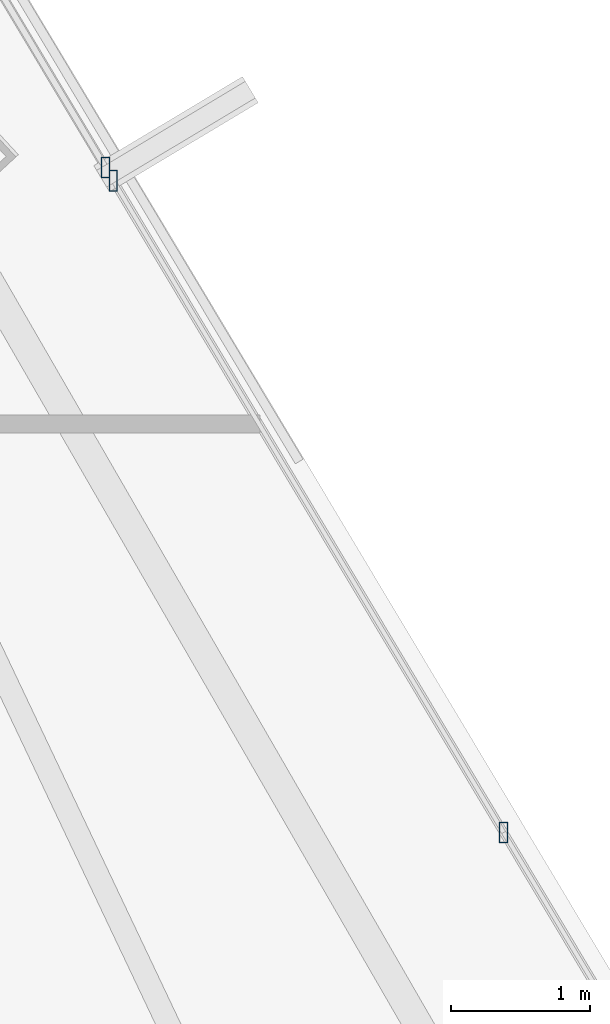
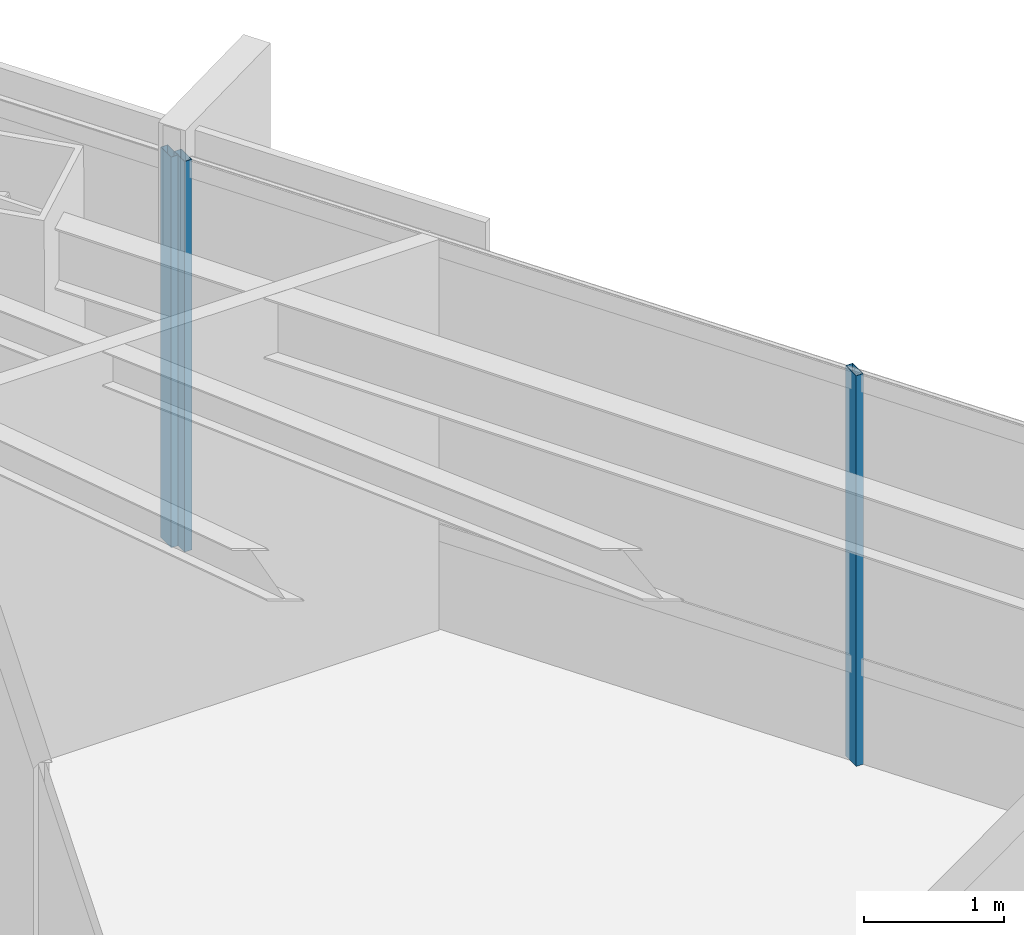
# One storey, part 23 of 41: 3 members, 2 elements without a shape of their own.
"""IFC4 building model written with IfcOpenShell, lengths in metres."""

import ifcopenshell
import ifcopenshell.guid

model = None  # the IFC model being written
_history = None  # IfcOwnerHistory: only IFC2X3 demands one
_inside = {}  # id of a spatial element -> (the spatial element, [elements in it])
_under = {}  # id of a project, library or spatial element -> (it, [spatial elements below it])
_declared = {}  # id of a project -> (the project, [libraries it declares])
_typed = {}  # id of a type object -> (the type object, [elements of that type])
_made_of = {}  # id of a material, layer set ... -> (it, [elements and type objects made of it])


def new_model(schema):
    """Start an empty IFC model of exactly this schema.

    Asked for "IFC4X3", IfcOpenShell would pick the latest addendum, in which some entities
    have other attributes; the version numbers below select the first issue.
    IFC2X3 requires an IfcOwnerHistory on every rooted entity: one is made here for all.
    """
    global model, _history
    if schema == "IFC4X3":
        model = ifcopenshell.file(schema_version=(4, 3, 0, 0))
    else:
        model = ifcopenshell.file(schema=schema)
    _inside.clear()
    _under.clear()
    _declared.clear()
    _typed.clear()
    _made_of.clear()
    _history = None
    if model.schema == "IFC2X3":
        org = make("IfcOrganization", Name="unknown")
        user = make(
            "IfcPersonAndOrganization",
            ThePerson=make("IfcPerson", FamilyName="unknown"),
            TheOrganization=org,
        )
        app = make(
            "IfcApplication",
            ApplicationDeveloper=org,
            Version="unknown",
            ApplicationFullName="unknown",
            ApplicationIdentifier="unknown",
        )
        _history = make(
            "IfcOwnerHistory",
            OwningUser=user,
            OwningApplication=app,
            ChangeAction="ADDED",
            CreationDate=0,
        )
    return model


def make(cls, **values):
    """One entity of the class cls with the attributes given. An attribute that is None is left unset."""
    return model.create_entity(
        cls, **{name: value for name, value in values.items() if value is not None}
    )


def rooted(cls, **values):
    """An entity with a GlobalId (a new one), such as an element, a storey or a relation."""
    return make(cls, GlobalId=ifcopenshell.guid.new(), OwnerHistory=_history, **values)


def si_unit(unit_type, name, prefix=None):
    """IfcSIUnit, for example si_unit("LENGTHUNIT", "METRE", prefix="MILLI")."""
    return make("IfcSIUnit", UnitType=unit_type, Prefix=prefix, Name=name)


def assignment(units):
    """IfcUnitAssignment: the units of a project."""
    return None if units is None else make("IfcUnitAssignment", Units=units)


def point(xyz):
    """IfcCartesianPoint."""
    return None if xyz is None else make("IfcCartesianPoint", Coordinates=xyz)


def direction(xyz):
    """IfcDirection."""
    return None if xyz is None else make("IfcDirection", DirectionRatios=xyz)


def frame(location, z_axis=None, x_axis=None):
    """IfcAxis2Placement3D, a coordinate frame: its origin and axes. An axis left out is left unset."""
    return make(
        "IfcAxis2Placement3D",
        Location=point(location),
        Axis=direction(z_axis),
        RefDirection=direction(x_axis),
    )


def frame_2d(location, x_axis=None):
    """IfcAxis2Placement2D, a coordinate frame in the plane: its origin and x axis."""
    return make(
        "IfcAxis2Placement2D", Location=point(location), RefDirection=direction(x_axis)
    )


def origin():
    """The frame at (0, 0, 0) with its axes left unset."""
    return frame((0.0, 0.0, 0.0))


def origin_2d():
    """The frame at (0, 0) in the plane with its x axis left unset."""
    return frame_2d((0.0, 0.0))


def place(relative_to, where):
    """IfcLocalPlacement: puts the frame where relative to a parent placement (None: the world)."""
    return make(
        "IfcLocalPlacement", PlacementRelTo=relative_to, RelativePlacement=where
    )


def context(
    kind, dimensions, precision=None, world=None, true_north=None, identifier=None
):
    """IfcGeometricRepresentationContext, for example the 3D "Model" context."""
    return make(
        "IfcGeometricRepresentationContext",
        ContextIdentifier=identifier,
        ContextType=kind,
        CoordinateSpaceDimension=dimensions,
        Precision=precision,
        WorldCoordinateSystem=world,
        TrueNorth=true_north,
    )


def subcontext(parent, identifier, kind, view, scale=None):
    """IfcGeometricRepresentationSubContext, for example "Body" below "Model"."""
    return make(
        "IfcGeometricRepresentationSubContext",
        ContextIdentifier=identifier,
        ContextType=kind,
        ParentContext=parent,
        TargetScale=scale,
        TargetView=view,
    )


def project(units=None, contexts=None):
    """IfcProject with its units and contexts."""
    return rooted(
        "IfcProject",
        Name="project",
        RepresentationContexts=contexts,
        UnitsInContext=assignment(units),
    )


def spatial(cls, under=None, at=None, **own):
    """A site, building, storey or space (cls), placed at a placement, below another one or the project."""
    s = rooted(cls, ObjectPlacement=at, **own)
    if under is not None:
        _under.setdefault(under.id(), (under, []))[1].append(s)
    return s


def profile(cls, at=None, kind="AREA", **sizes):
    """A parametric profile (cls). Its sizes go by their IFC names, for example OverallWidth=200.0."""
    return make(cls, ProfileType=kind, Position=at, **sizes)


def hollow_rectangle(**sizes):
    """IfcRectangleHollowProfileDef."""
    return profile("IfcRectangleHollowProfileDef", **sizes)


def extrude(swept, where, along, depth):
    """IfcExtrudedAreaSolid: the profile swept, set in the frame where, extruded along a direction by depth."""
    return make(
        "IfcExtrudedAreaSolid",
        SweptArea=swept,
        Position=where,
        ExtrudedDirection=direction(along),
        Depth=depth,
    )


def shape(context_of_items, identifier, shape_type, items):
    """IfcShapeRepresentation: the items that make up one representation, for example the "Body"."""
    return make(
        "IfcShapeRepresentation",
        ContextOfItems=context_of_items,
        RepresentationIdentifier=identifier,
        RepresentationType=shape_type,
        Items=items,
    )


def source(mapping_origin, context_of_items, identifier, shape_type, items):
    """IfcRepresentationMap: a shape defined once, which mapped items show again and again."""
    return make(
        "IfcRepresentationMap",
        MappingOrigin=mapping_origin,
        MappedRepresentation=shape(context_of_items, identifier, shape_type, items),
    )


def transform(
    local_origin,
    x_axis=None,
    y_axis=None,
    z_axis=None,
    scale=None,
    scale2=None,
    scale3=None,
    uniform=True,
):
    """IfcCartesianTransformationOperator3D, or its non-uniform kind. x_axis, y_axis, z_axis: its Axis1, 2, 3."""
    if uniform:
        return make(
            "IfcCartesianTransformationOperator3D",
            Axis1=direction(x_axis),
            Axis2=direction(y_axis),
            LocalOrigin=point(local_origin),
            Scale=scale,
            Axis3=direction(z_axis),
        )
    return make(
        "IfcCartesianTransformationOperator3DnonUniform",
        Axis1=direction(x_axis),
        Axis2=direction(y_axis),
        LocalOrigin=point(local_origin),
        Scale=scale,
        Axis3=direction(z_axis),
        Scale2=scale2,
        Scale3=scale3,
    )


def mapped(mapping_source, mapping_target):
    """IfcMappedItem: shows the shape of a source again, moved by a transform."""
    return make(
        "IfcMappedItem", MappingSource=mapping_source, MappingTarget=mapping_target
    )


def material(Name=None, Category=None):
    """IfcMaterial."""
    return make("IfcMaterial", Name=Name, Category=Category)


def material_profile(
    of_material, cross_section, Name=None, Category=None, Priority=None
):
    """IfcMaterialProfile: a cross section and its material."""
    return make(
        "IfcMaterialProfile",
        Name=Name,
        Material=of_material,
        Profile=cross_section,
        Priority=Priority,
        Category=Category,
    )


def profile_set(profiles, Name=None, composite=None):
    """IfcMaterialProfileSet."""
    return make(
        "IfcMaterialProfileSet",
        Name=Name,
        MaterialProfiles=profiles,
        CompositeProfile=composite,
    )


def made_of(thing, what):
    """Note that an element or type object is made of a material, layer set ...; save() writes the relation."""
    if what is not None:
        _made_of.setdefault(what.id(), (what, []))[1].append(thing)
    return thing


def type_object(cls, material=None, **own):
    """A type object (cls), such as IfcWallType, which elements share."""
    return made_of(rooted(cls, **own), material)


def type_shapes(of_type, sources):
    """Give a type object the sources (RepresentationMaps) that its elements show as mapped items."""
    of_type.RepresentationMaps = sources


def element(
    cls,
    number,
    at=None,
    inside=None,
    cuts=None,
    type_object=None,
    material=None,
    context=None,
    identifier="Body",
    shape_type=None,
    held_by="IfcProductDefinitionShape",
    body=None,
    shapes=None,
    **own,
):
    """One element of the class cls, such as IfcWall. Its Tag is "e" and its number.

    at: its placement. inside: the storey or other place that contains it. cuts: it is an
    opening in that element (IfcRelVoidsElement). A single representation is given by context,
    identifier, shape_type and body (its items); several are given by shapes. held_by: the class
    of the entity that holds the representations. save() writes the other relations.
    """
    e = rooted(cls, Tag="e%d" % number, ObjectPlacement=at, **own)
    if body is not None:
        shapes = [shape(context, identifier, shape_type, body)]
    if shapes is not None:
        e.Representation = make(held_by, Representations=shapes)
    if inside is not None:
        _inside.setdefault(inside.id(), (inside, []))[1].append(e)
    if cuts is not None:
        rooted(
            "IfcRelVoidsElement", RelatingBuildingElement=cuts, RelatedOpeningElement=e
        )
    if type_object is not None:
        _typed.setdefault(type_object.id(), (type_object, []))[1].append(e)
    return made_of(e, material)


def aggregate(whole, parts):
    """IfcRelAggregates: a whole, such as a stair, and the parts it consists of."""
    return rooted("IfcRelAggregates", RelatingObject=whole, RelatedObjects=parts)


def save(model, path):
    """Write the relations noted so far, then the file.

    IfcRelAggregates (storeys below a building ...), IfcRelContainedInSpatialStructure (elements
    in a storey), IfcRelDefinesByType, IfcRelAssociatesMaterial and IfcRelDeclares: one each for
    every whole, place, type object, material and project.
    """
    for whole, parts in _under.values():
        aggregate(whole, parts)
    for where, things in _inside.values():
        rooted(
            "IfcRelContainedInSpatialStructure",
            RelatedElements=things,
            RelatingStructure=where,
        )
    for kind, things in _typed.values():
        rooted("IfcRelDefinesByType", RelatedObjects=things, RelatingType=kind)
    for what, things in _made_of.values():
        rooted("IfcRelAssociatesMaterial", RelatedObjects=things, RelatingMaterial=what)
    for by, libraries in _declared.values():
        rooted("IfcRelDeclares", RelatingContext=by, RelatedDefinitions=libraries)
    model.write(path)


model = new_model("IFC4")

# Units and contexts
model_context = context("Model", 3, precision=1e-05, world=origin(), true_north=direction((0.0, 1.0)))
body_context = subcontext(model_context, "Body", "Model", "MODEL_VIEW")
ifc_project = project(units=[si_unit("LENGTHUNIT", "METRE"), si_unit("AREAUNIT", "SQUARE_METRE"), si_unit("VOLUMEUNIT", "CUBIC_METRE"), si_unit("PLANEANGLEUNIT", "RADIAN"), si_unit("MASSUNIT", "GRAM", prefix="KILO")], contexts=[model_context])

# Site, building, storey
site_placement = place(None, origin())
site = spatial("IfcSite", under=ifc_project, at=site_placement, CompositionType="ELEMENT")
building_placement = place(site_placement, origin())
building = spatial("IfcBuilding", under=site, at=building_placement, Name="Caelisora Broadcast Tower", CompositionType="ELEMENT")
storey_placement = place(building_placement, frame((0.0, 0.0, 173.10009765625)))
storey = spatial("IfcBuildingStorey", under=building, at=storey_placement, Name="L45", CompositionType="ELEMENT", Elevation=173.10009765625)

# Curtain wall, member
ifc_material_1 = material(Name="Unitised Aluminium Insulated Shadow-Box Spandrel Curtain Wall", Category="aluminium")
curtain_wall_type_1 = type_object("IfcCurtainWallType", Name="CW-SP2", PredefinedType="NOTDEFINED", material=ifc_material_1)
curtain_wall_1_placement = place(storey_placement, origin())
curtain_wall_1 = element("IfcCurtainWall", 1, at=curtain_wall_1_placement, inside=storey, type_object=curtain_wall_type_1, Name="L45 curtain wall CW-SP2", PredefinedType="NOTDEFINED")
ifc_material_2 = material(Name="Aluminium 6063-T6 Anodised Terracotta Bronze", Category="aluminium")
ifc_material_profile = material_profile(ifc_material_2, hollow_rectangle(XDim=0.06005859375, YDim=0.14990234375, WallThickness=0.00341796875, at=origin_2d()), Name="Aluminium 6063-T6 Anodised Terracotta Bronze")
ifc_profile_set = profile_set([ifc_material_profile], Name="Aluminium 6063-T6 Anodised Terracotta Bronze")
member_type = type_object("IfcMemberType", Name="CWM-03", PredefinedType="MULLION", material=ifc_profile_set)
shared_shape = source(origin(), body_context, "Body", "SweptSolid", [
    extrude(hollow_rectangle(XDim=0.06005859375, YDim=0.14990234375, WallThickness=0.00341796875, at=origin_2d()), origin(), (0.0, 0.0, 1.0), 3.39990234375),
])
type_shapes(member_type, [shared_shape])
member_1_placement = place(storey_placement, frame((56.1962890625, 27.249755859375, 0.0), z_axis=(0.0, 0.0, 1.0), x_axis=(1.0, 0.0, 0.0)))
member_1 = element("IfcMember", 2, at=member_1_placement, type_object=member_type, Name="L45-CW-B02 mullion #3", PredefinedType="MULLION", context=body_context, shape_type="MappedRepresentation", body=[
    mapped(shared_shape, transform((0.0, 0.0, 0.0), scale=1.0)),
])
aggregate(curtain_wall_1, [member_1])

# Curtain wall, members
ifc_material_3 = material(Name="Unitised Aluminium and Low-E Glass Curtain Wall", Category="glass")
curtain_wall_type_2 = type_object("IfcCurtainWallType", Name="CW-Z3", PredefinedType="NOTDEFINED", material=ifc_material_3)
curtain_wall_2_placement = place(storey_placement, origin())
curtain_wall_2 = element("IfcCurtainWall", 3, at=curtain_wall_2_placement, inside=storey, type_object=curtain_wall_type_2, Name="L45 curtain wall CW-Z3", PredefinedType="NOTDEFINED")
member_2_placement = place(storey_placement, frame((56.252685546875, 27.1552734375, 0.0), z_axis=(0.0, 0.0, 1.0), x_axis=(1.0, 0.0, 0.0)))
member_2 = element("IfcMember", 4, at=member_2_placement, type_object=member_type, Name="L45-CW-B03 mullion #0", PredefinedType="MULLION", context=body_context, shape_type="MappedRepresentation", body=[
    mapped(shared_shape, transform((0.0, 0.0, 0.0), scale=1.0)),
])
member_3_placement = place(storey_placement, frame((59.067138671875, 22.455078125, 0.0), z_axis=(0.0, 0.0, 1.0), x_axis=(1.0, 0.0, 0.0)))
member_3 = element("IfcMember", 5, at=member_3_placement, type_object=member_type, Name="L45-CW-B03 mullion #1", PredefinedType="MULLION", context=body_context, shape_type="MappedRepresentation", body=[
    mapped(shared_shape, transform((0.0, 0.0, 0.0), scale=1.0)),
])
aggregate(curtain_wall_2, [member_2, member_3])

save(model, "model.ifc")
